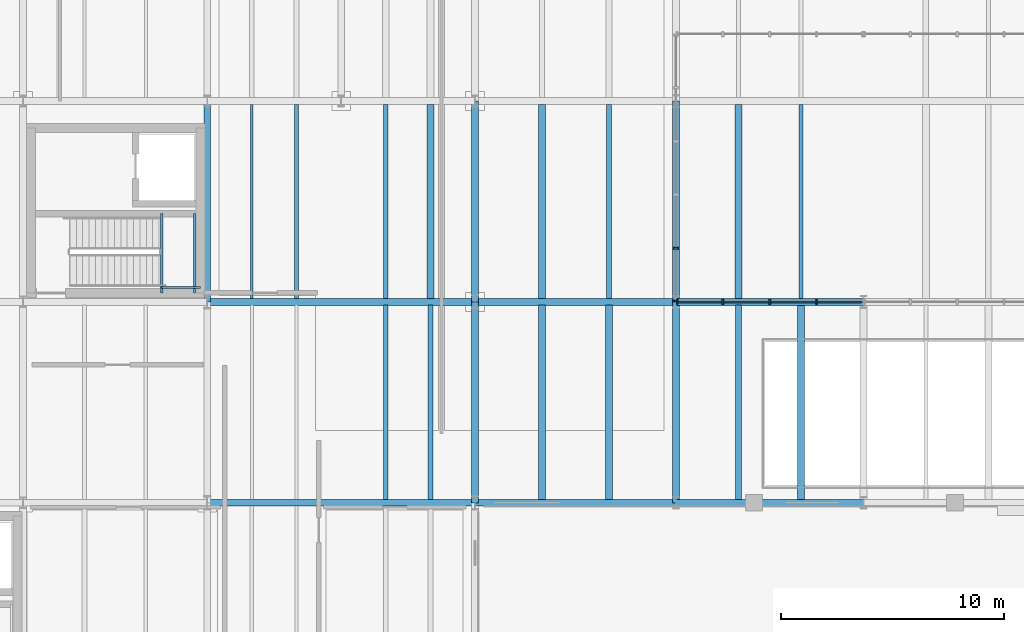
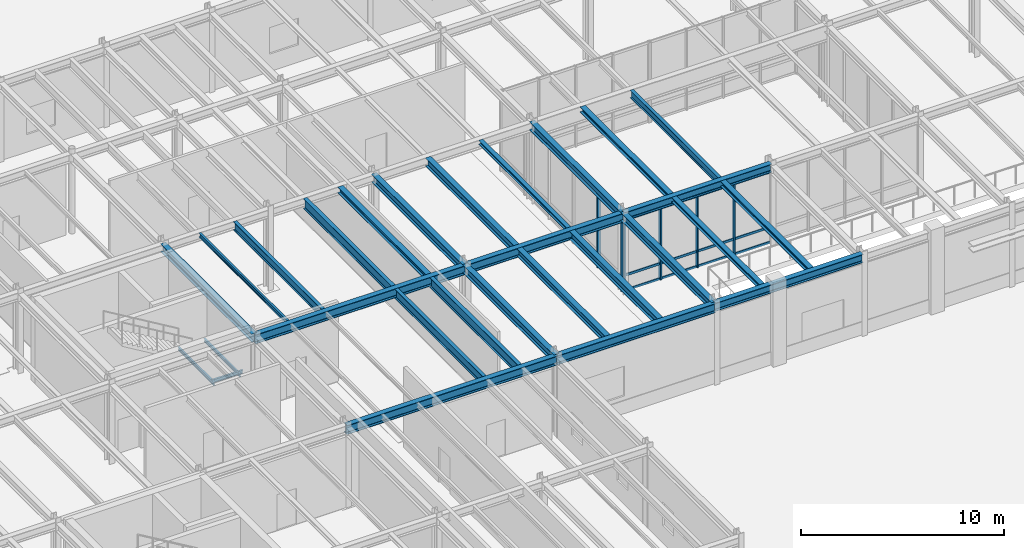
# One storey, part 20 of 64: 28 beams, 9 members, 2 elements without a shape of their own.
"""IFC4 building model written with IfcOpenShell, lengths in metres."""

from ifc_helpers import new_model, si_unit, direction, frame, origin, origin_2d, place, context, subcontext, project, spatial, rectangle, i_section, extrude, material, layer, layer_set, material_profile, profile_set, type_object, element, aggregate, save


model = new_model("IFC4")

# Units and contexts
model_context = context("Model", 3, precision=1e-05, world=origin(), true_north=direction((0.0, 1.0)))
body_context = subcontext(model_context, "Body", "Model", "MODEL_VIEW")
ifc_project = project(units=[si_unit("LENGTHUNIT", "METRE"), si_unit("AREAUNIT", "SQUARE_METRE"), si_unit("VOLUMEUNIT", "CUBIC_METRE"), si_unit("PLANEANGLEUNIT", "RADIAN"), si_unit("MASSUNIT", "GRAM", prefix="KILO")], contexts=[model_context])

# Site, building, storey
site_placement = place(None, origin())
site = spatial("IfcSite", under=ifc_project, at=site_placement, CompositionType="ELEMENT")
building_placement = place(site_placement, origin())
building = spatial("IfcBuilding", under=site, at=building_placement, Name="Montealbar Specialist Clinic", CompositionType="ELEMENT")
storey_placement = place(building_placement, origin())
storey = spatial("IfcBuildingStorey", under=building, at=storey_placement, Name="L00", CompositionType="ELEMENT", Elevation=0.0)

# Beams
ifc_material_1 = material(Name="Steel S355", Category="steel")
ifc_material_profile_1 = material_profile(ifc_material_1, i_section(OverallWidth=0.300048828125, OverallDepth=0.5, WebThickness=0.014404296875, FlangeThickness=0.028076171875, FilletRadius=0.027099609375, at=origin_2d()), Name="HEB 500", Category="steel")
ifc_profile_set_1 = profile_set([ifc_material_profile_1], Name="Steel S355")
beam_type_1 = type_object("IfcBeamType", Name="BM-GIRD-HEB500", PredefinedType="BEAM", material=ifc_profile_set_1)
for number, where, z_axis, x_axis, name in (
    (1, (99.0, 27.0, 4.56005859375), (0.0, 1.0, 0.0), (-1.0, 0.0, 0.0), "Beam GY-L00-990-270-360"),
    (2, (111.0, 27.0, 4.56005859375), (0.0, 1.0, 0.0), (-1.0, 0.0, 0.0), "Beam GY-L00-1110-270-360"),
    (3, (120.0, 27.0, 4.56005859375), (0.0, 1.0, 0.0), (-1.0, 0.0, 0.0), "Beam GY-L00-1200-270-360"),
):
    element("IfcBeam", number, at=place(storey_placement, frame(where, z_axis=z_axis, x_axis=x_axis)), inside=storey, type_object=beam_type_1, Name=name, PredefinedType="BEAM", context=body_context, shape_type="SweptSolid", body=[
        extrude(i_section(OverallWidth=0.300048828125, OverallDepth=0.5, WebThickness=0.014404296875, FlangeThickness=0.028076171875, FilletRadius=0.027099609375, at=origin_2d()), origin(), (0.0, 0.0, 1.0), 9.0),
    ])
ifc_material_profile_2 = material_profile(ifc_material_1, i_section(OverallWidth=0.300048828125, OverallDepth=0.5, WebThickness=0.014404296875, FlangeThickness=0.028076171875, FilletRadius=0.027099609375, at=origin_2d()), Name="HEB 500", Category="steel")
ifc_profile_set_2 = profile_set([ifc_material_profile_2], Name="Steel S355")
beam_type_2 = type_object("IfcBeamType", Name="BM-GIRD-HEB500-EXT", PredefinedType="BEAM", material=ifc_profile_set_2)
for number, where, z_axis, x_axis, name in (
    (4, (120.0, 18.0, 4.580078125), (1.0, 0.0, 0.0), (0.0, 1.0, 0.0), "Beam GX-L00-1200-1284-180"),
    (5, (120.0, 27.0, 4.56005859375), (1.0, 0.0, 0.0), (0.0, 1.0, 0.0), "Beam GX-L00-1200-1284-270"),
):
    element("IfcBeam", number, at=place(storey_placement, frame(where, z_axis=z_axis, x_axis=x_axis)), inside=storey, type_object=beam_type_2, Name=name, PredefinedType="BEAM", context=body_context, shape_type="SweptSolid", body=[
        extrude(i_section(OverallWidth=0.300048828125, OverallDepth=0.5, WebThickness=0.014404296875, FlangeThickness=0.028076171875, FilletRadius=0.027099609375, at=origin_2d()), origin(), (0.0, 0.0, 1.0), 8.39990234375),
    ])
for number, where, z_axis, x_axis, name in (
    (6, (111.0, 18.0, 4.56005859375), (0.0, 1.0, 0.0), (-1.0, 0.0, 0.0), "Beam GY-L00-1110-180-270"),
    (7, (120.0, 18.0, 4.56005859375), (0.0, 1.0, 0.0), (-1.0, 0.0, 0.0), "Beam GY-L00-1200-180-270"),
):
    element("IfcBeam", number, at=place(storey_placement, frame(where, z_axis=z_axis, x_axis=x_axis)), inside=storey, type_object=beam_type_2, Name=name, PredefinedType="BEAM", context=body_context, shape_type="SweptSolid", body=[
        extrude(i_section(OverallWidth=0.300048828125, OverallDepth=0.5, WebThickness=0.014404296875, FlangeThickness=0.028076171875, FilletRadius=0.027099609375, at=origin_2d()), origin(), (0.0, 0.0, 1.0), 9.0),
    ])
ifc_material_profile_3 = material_profile(ifc_material_1, i_section(OverallWidth=0.300048828125, OverallDepth=0.550048828125, WebThickness=0.014892578125, FlangeThickness=0.029052734375, FilletRadius=0.027099609375, at=origin_2d()), Name="HEB 550", Category="steel")
ifc_profile_set_3 = profile_set([ifc_material_profile_3], Name="Steel S355")
beam_type_3 = type_object("IfcBeamType", Name="BM-GIRD-HEB550", PredefinedType="BEAM", material=ifc_profile_set_3)
for number, where, z_axis, x_axis, name in (
    (8, (99.0, 18.0, 4.534912109375), (1.0, 0.0, 0.0), (0.0, 1.0, 0.0), "Beam GX-L00-990-1110-180"),
    (9, (99.0, 27.0, 4.534912109375), (1.0, 0.0, 0.0), (0.0, 1.0, 0.0), "Beam GX-L00-990-1110-270"),
):
    element("IfcBeam", number, at=place(storey_placement, frame(where, z_axis=z_axis, x_axis=x_axis)), inside=storey, type_object=beam_type_3, Name=name, PredefinedType="BEAM", context=body_context, shape_type="SweptSolid", body=[
        extrude(i_section(OverallWidth=0.300048828125, OverallDepth=0.550048828125, WebThickness=0.014892578125, FlangeThickness=0.029052734375, FilletRadius=0.027099609375, at=origin_2d()), origin(), (0.0, 0.0, 1.0), 12.0),
    ])
ifc_material_profile_4 = material_profile(ifc_material_1, i_section(OverallWidth=0.300048828125, OverallDepth=0.550048828125, WebThickness=0.014892578125, FlangeThickness=0.029052734375, FilletRadius=0.027099609375, at=origin_2d()), Name="HEB 550", Category="steel")
ifc_profile_set_4 = profile_set([ifc_material_profile_4], Name="Steel S355")
beam_type_4 = type_object("IfcBeamType", Name="BM-GIRD-HEB550-EXT", PredefinedType="BEAM", material=ifc_profile_set_4)
for number, where, z_axis, x_axis, name in (
    (10, (111.0, 18.0, 4.534912109375), (1.0, 0.0, 0.0), (0.0, 1.0, 0.0), "Beam GX-L00-1110-1200-180"),
    (11, (111.0, 27.0, 4.534912109375), (1.0, 0.0, 0.0), (0.0, 1.0, 0.0), "Beam GX-L00-1110-1200-270"),
):
    element("IfcBeam", number, at=place(storey_placement, frame(where, z_axis=z_axis, x_axis=x_axis)), inside=storey, type_object=beam_type_4, Name=name, PredefinedType="BEAM", context=body_context, shape_type="SweptSolid", body=[
        extrude(i_section(OverallWidth=0.300048828125, OverallDepth=0.550048828125, WebThickness=0.014892578125, FlangeThickness=0.029052734375, FilletRadius=0.027099609375, at=origin_2d()), origin(), (0.0, 0.0, 1.0), 9.0),
    ])
ifc_material_profile_5 = material_profile(ifc_material_1, i_section(OverallWidth=0.300048828125, OverallDepth=0.35009765625, WebThickness=0.010009765625, FlangeThickness=0.017578125, FilletRadius=0.027099609375, at=origin_2d()), Name="HEA 360", Category="steel")
ifc_profile_set_5 = profile_set([ifc_material_profile_5], Name="Steel S355")
beam_type_5 = type_object("IfcBeamType", Name="BM-JST-HEA360", PredefinedType="JOIST", material=ifc_profile_set_5)
beam_1_placement = place(storey_placement, frame((109.0, 27.14990234375, 4.635009765625), z_axis=(0.0, 1.0, 0.0), x_axis=(-1.0, 0.0, 0.0)))
element("IfcBeam", 12, at=beam_1_placement, inside=storey, type_object=beam_type_5, Name="Beam JST-L00-1090-272-358", PredefinedType="JOIST", context=body_context, shape_type="SweptSolid", body=[
    extrude(i_section(OverallWidth=0.300048828125, OverallDepth=0.35009765625, WebThickness=0.010009765625, FlangeThickness=0.017578125, FilletRadius=0.027099609375, at=origin_2d()), origin(), (0.0, 0.0, 1.0), 8.7001953125),
])
ifc_material_profile_6 = material_profile(ifc_material_1, i_section(OverallWidth=0.300048828125, OverallDepth=0.43994140625, WebThickness=0.011474609375, FlangeThickness=0.02099609375, FilletRadius=0.027099609375, at=origin_2d()), Name="HEA 450", Category="steel")
ifc_profile_set_6 = profile_set([ifc_material_profile_6], Name="Steel S355")
beam_type_6 = type_object("IfcBeamType", Name="BM-JST-HEA450", PredefinedType="JOIST", material=ifc_profile_set_6)
beam_2_placement = place(storey_placement, frame((114.0, 18.14990234375, 4.590087890625), z_axis=(0.0, 1.0, 0.0), x_axis=(-1.0, 0.0, 0.0)))
element("IfcBeam", 13, at=beam_2_placement, inside=storey, type_object=beam_type_6, Name="Beam JST-L00-1140-182-268", PredefinedType="JOIST", context=body_context, shape_type="SweptSolid", body=[
    extrude(i_section(OverallWidth=0.300048828125, OverallDepth=0.43994140625, WebThickness=0.011474609375, FlangeThickness=0.02099609375, FilletRadius=0.027099609375, at=origin_2d()), origin(), (0.0, 0.0, 1.0), 8.7001953125),
])
ifc_material_profile_7 = material_profile(ifc_material_1, i_section(OverallWidth=0.300048828125, OverallDepth=0.489990234375, WebThickness=0.011962890625, FlangeThickness=0.02294921875, FilletRadius=0.027099609375, at=origin_2d()), Name="HEA 500", Category="steel")
ifc_profile_set_7 = profile_set([ifc_material_profile_7], Name="Steel S355")
beam_type_7 = type_object("IfcBeamType", Name="BM-JST-HEA500", PredefinedType="JOIST", material=ifc_profile_set_7)
for number, where, z_axis, x_axis, name in (
    (14, (117.0, 18.14990234375, 4.56494140625), (0.0, 1.0, 0.0), (-1.0, 0.0, 0.0), "Beam JST-L00-1170-182-268"),
    (15, (114.0, 27.14990234375, 4.56494140625), (0.0, 1.0, 0.0), (-1.0, 0.0, 0.0), "Beam JST-L00-1140-272-358"),
):
    element("IfcBeam", number, at=place(storey_placement, frame(where, z_axis=z_axis, x_axis=x_axis)), inside=storey, type_object=beam_type_7, Name=name, PredefinedType="JOIST", context=body_context, shape_type="SweptSolid", body=[
        extrude(i_section(OverallWidth=0.300048828125, OverallDepth=0.489990234375, WebThickness=0.011962890625, FlangeThickness=0.02294921875, FilletRadius=0.027099609375, at=origin_2d()), origin(), (0.0, 0.0, 1.0), 8.7001953125),
    ])
ifc_material_profile_8 = material_profile(ifc_material_1, i_section(OverallWidth=0.239990234375, OverallDepth=0.239990234375, WebThickness=0.010009765625, FlangeThickness=0.01708984375, FilletRadius=0.02099609375, at=origin_2d()), Name="HEB 240", Category="steel")
ifc_profile_set_8 = profile_set([ifc_material_profile_8], Name="Steel S355")
beam_type_8 = type_object("IfcBeamType", Name="BM-JST-HEB240", PredefinedType="JOIST", material=ifc_profile_set_8)
beam_3_placement = place(storey_placement, frame((117.0, 27.14990234375, 4.68994140625), z_axis=(0.0, 1.0, 0.0), x_axis=(-1.0, 0.0, 0.0)))
element("IfcBeam", 16, at=beam_3_placement, inside=storey, type_object=beam_type_8, Name="Beam JST-L00-1170-272-358", PredefinedType="JOIST", context=body_context, shape_type="SweptSolid", body=[
    extrude(i_section(OverallWidth=0.239990234375, OverallDepth=0.239990234375, WebThickness=0.010009765625, FlangeThickness=0.01708984375, FilletRadius=0.02099609375, at=origin_2d()), origin(), (0.0, 0.0, 1.0), 8.7001953125),
])
ifc_material_profile_9 = material_profile(ifc_material_1, i_section(OverallWidth=0.280029296875, OverallDepth=0.280029296875, WebThickness=0.010498046875, FlangeThickness=0.01806640625, FilletRadius=0.02392578125, at=origin_2d()), Name="HEB 280", Category="steel")
ifc_profile_set_9 = profile_set([ifc_material_profile_9], Name="Steel S355")
beam_type_9 = type_object("IfcBeamType", Name="BM-JST-HEB280", PredefinedType="JOIST", material=ifc_profile_set_9)
beam_4_placement = place(storey_placement, frame((122.800048828125, 18.14990234375, 4.669921875), z_axis=(0.0, 1.0, 0.0), x_axis=(-1.0, 0.0, 0.0)))
element("IfcBeam", 17, at=beam_4_placement, inside=storey, type_object=beam_type_9, Name="Beam JST-L00-1228-182-268", PredefinedType="JOIST", context=body_context, shape_type="SweptSolid", body=[
    extrude(i_section(OverallWidth=0.280029296875, OverallDepth=0.280029296875, WebThickness=0.010498046875, FlangeThickness=0.01806640625, FilletRadius=0.02392578125, at=origin_2d()), origin(), (0.0, 0.0, 1.0), 8.7001953125),
])
ifc_material_profile_10 = material_profile(ifc_material_1, i_section(OverallWidth=0.300048828125, OverallDepth=0.320068359375, WebThickness=0.011474609375, FlangeThickness=0.0205078125, FilletRadius=0.027099609375, at=origin_2d()), Name="HEB 320", Category="steel")
ifc_profile_set_10 = profile_set([ifc_material_profile_10], Name="Steel S355")
beam_type_10 = type_object("IfcBeamType", Name="BM-JST-HEB320", PredefinedType="JOIST", material=ifc_profile_set_10)
beam_5_placement = place(storey_placement, frame((125.60009765625, 18.14990234375, 4.64990234375), z_axis=(0.0, 1.0, 0.0), x_axis=(-1.0, 0.0, 0.0)))
element("IfcBeam", 18, at=beam_5_placement, inside=storey, type_object=beam_type_10, Name="Beam JST-L00-1256-182-268", PredefinedType="JOIST", context=body_context, shape_type="SweptSolid", body=[
    extrude(i_section(OverallWidth=0.300048828125, OverallDepth=0.320068359375, WebThickness=0.011474609375, FlangeThickness=0.0205078125, FilletRadius=0.027099609375, at=origin_2d()), origin(), (0.0, 0.0, 1.0), 8.7001953125),
])
beam_6_placement = place(storey_placement, frame((122.800048828125, 27.14990234375, 4.64990234375), z_axis=(0.0, 1.0, 0.0), x_axis=(-1.0, 0.0, 0.0)))
element("IfcBeam", 19, at=beam_6_placement, inside=storey, type_object=beam_type_10, Name="Beam JST-L00-1228-272-358", PredefinedType="JOIST", context=body_context, shape_type="SweptSolid", body=[
    extrude(i_section(OverallWidth=0.300048828125, OverallDepth=0.320068359375, WebThickness=0.011474609375, FlangeThickness=0.0205078125, FilletRadius=0.027099609375, at=origin_2d()), origin(), (0.0, 0.0, 1.0), 8.69921875),
])
ifc_material_profile_11 = material_profile(ifc_material_1, i_section(OverallWidth=0.1201171875, OverallDepth=0.239990234375, WebThickness=0.006103515625, FlangeThickness=0.009765625, FilletRadius=0.014892578125, at=origin_2d()), Name="IPE 240", Category="steel")
ifc_profile_set_11 = profile_set([ifc_material_profile_11], Name="Steel S355")
beam_type_11 = type_object("IfcBeamType", Name="BM-JST-IPE240", PredefinedType="JOIST", material=ifc_profile_set_11)
beam_7_placement = place(storey_placement, frame((101.0, 27.14990234375, 4.68994140625), z_axis=(0.0, 1.0, 0.0), x_axis=(-1.0, 0.0, 0.0)))
element("IfcBeam", 20, at=beam_7_placement, inside=storey, type_object=beam_type_11, Name="Beam JST-L00-1010-272-358", PredefinedType="JOIST", context=body_context, shape_type="SweptSolid", body=[
    extrude(i_section(OverallWidth=0.1201171875, OverallDepth=0.239990234375, WebThickness=0.006103515625, FlangeThickness=0.009765625, FilletRadius=0.014892578125, at=origin_2d()), origin(), (0.0, 0.0, 1.0), 8.7001953125),
])
ifc_material_profile_12 = material_profile(ifc_material_1, i_section(OverallWidth=0.199951171875, OverallDepth=0.5, WebThickness=0.01025390625, FlangeThickness=0.01611328125, FilletRadius=0.02099609375, at=origin_2d()), Name="IPE 500", Category="steel")
ifc_profile_set_12 = profile_set([ifc_material_profile_12], Name="Steel S355")
beam_type_12 = type_object("IfcBeamType", Name="BM-JST-IPE500", PredefinedType="JOIST", material=ifc_profile_set_12)
beam_8_placement = place(storey_placement, frame((103.0, 27.14990234375, 4.56005859375), z_axis=(0.0, 1.0, 0.0), x_axis=(-1.0, 0.0, 0.0)))
element("IfcBeam", 21, at=beam_8_placement, inside=storey, type_object=beam_type_12, Name="Beam JST-L00-1030-272-358", PredefinedType="JOIST", context=body_context, shape_type="SweptSolid", body=[
    extrude(i_section(OverallWidth=0.199951171875, OverallDepth=0.5, WebThickness=0.01025390625, FlangeThickness=0.01611328125, FilletRadius=0.02099609375, at=origin_2d()), origin(), (0.0, 0.0, 1.0), 8.7001953125),
])
ifc_material_profile_13 = material_profile(ifc_material_1, i_section(OverallWidth=0.2099609375, OverallDepth=0.550048828125, WebThickness=0.010986328125, FlangeThickness=0.01708984375, FilletRadius=0.02392578125, at=origin_2d()), Name="IPE 550", Category="steel")
ifc_profile_set_13 = profile_set([ifc_material_profile_13], Name="Steel S355")
beam_type_13 = type_object("IfcBeamType", Name="BM-JST-IPE550", PredefinedType="JOIST", material=ifc_profile_set_13)
beam_9_placement = place(storey_placement, frame((107.0, 18.14990234375, 4.534912109375), z_axis=(0.0, 1.0, 0.0), x_axis=(-1.0, 0.0, 0.0)))
element("IfcBeam", 22, at=beam_9_placement, inside=storey, type_object=beam_type_13, Name="Beam JST-L00-1070-182-268", PredefinedType="JOIST", context=body_context, shape_type="SweptSolid", body=[
    extrude(i_section(OverallWidth=0.2099609375, OverallDepth=0.550048828125, WebThickness=0.010986328125, FlangeThickness=0.01708984375, FilletRadius=0.02392578125, at=origin_2d()), origin(), (0.0, 0.0, 1.0), 8.7001953125),
])
ifc_material_profile_14 = material_profile(ifc_material_1, i_section(OverallWidth=0.219970703125, OverallDepth=0.60009765625, WebThickness=0.011962890625, FlangeThickness=0.01904296875, FilletRadius=0.02392578125, at=origin_2d()), Name="IPE 600", Category="steel")
ifc_profile_set_14 = profile_set([ifc_material_profile_14], Name="Steel S355")
beam_type_14 = type_object("IfcBeamType", Name="BM-JST-IPE600", PredefinedType="JOIST", material=ifc_profile_set_14)
for number, where, z_axis, x_axis, name in (
    (23, (109.0, 18.14990234375, 4.510009765625), (0.0, 1.0, 0.0), (-1.0, 0.0, 0.0), "Beam JST-L00-1090-182-268"),
    (24, (107.0, 27.14990234375, 4.510009765625), (0.0, 1.0, 0.0), (-1.0, 0.0, 0.0), "Beam JST-L00-1070-272-358"),
):
    element("IfcBeam", number, at=place(storey_placement, frame(where, z_axis=z_axis, x_axis=x_axis)), inside=storey, type_object=beam_type_14, Name=name, PredefinedType="JOIST", context=body_context, shape_type="SweptSolid", body=[
        extrude(i_section(OverallWidth=0.219970703125, OverallDepth=0.60009765625, WebThickness=0.011962890625, FlangeThickness=0.01904296875, FilletRadius=0.02392578125, at=origin_2d()), origin(), (0.0, 0.0, 1.0), 8.7001953125),
    ])
ifc_material_profile_15 = material_profile(ifc_material_1, i_section(OverallWidth=0.10009765625, OverallDepth=0.199951171875, WebThickness=0.005615234375, FlangeThickness=0.008544921875, FilletRadius=0.011962890625, at=origin_2d()), Name="IPE 200", Category="steel")
ifc_profile_set_15 = profile_set([ifc_material_profile_15], Name="Steel S355")
beam_type_15 = type_object("IfcBeamType", Name="BM-LINT-IPE200", PredefinedType="LINTEL", material=ifc_profile_set_15)
for number, where, z_axis, x_axis, name in (
    (25, (96.9599609375, 27.39990234375, 2.25), (0.0, 1.0, 0.0), (-1.0, 0.0, 0.0), "Core C5 Stair Landing Beam L00 W"),
    (26, (98.429931640625, 27.39990234375, 2.25), (0.0, 1.0, 0.0), (-1.0, 0.0, 0.0), "Core C5 Stair Landing Beam L00 E"),
):
    element("IfcBeam", number, at=place(storey_placement, frame(where, z_axis=z_axis, x_axis=x_axis)), inside=storey, type_object=beam_type_15, Name=name, PredefinedType="LINTEL", context=body_context, shape_type="SweptSolid", body=[
        extrude(i_section(OverallWidth=0.10009765625, OverallDepth=0.199951171875, WebThickness=0.005615234375, FlangeThickness=0.008544921875, FilletRadius=0.011962890625, at=origin_2d()), origin(), (0.0, 0.0, 1.0), 3.550048828125),
    ])
beam_10_placement = place(storey_placement, frame((96.9599609375, 27.64990234375, 2.25), z_axis=(1.0, 0.0, 0.0), x_axis=(0.0, 1.0, 0.0)))
element("IfcBeam", 27, at=beam_10_placement, inside=storey, type_object=beam_type_15, Name="Core C5 Stair Landing Tie Beam L00", PredefinedType="LINTEL", context=body_context, shape_type="SweptSolid", body=[
    extrude(i_section(OverallWidth=0.10009765625, OverallDepth=0.199951171875, WebThickness=0.005615234375, FlangeThickness=0.008544921875, FilletRadius=0.011962890625, at=origin_2d()), origin(), (0.0, 0.0, 1.0), 1.739990234375),
])
ifc_material_profile_16 = material_profile(ifc_material_1, i_section(OverallWidth=0.18994140625, OverallDepth=0.449951171875, WebThickness=0.009521484375, FlangeThickness=0.0146484375, FilletRadius=0.02099609375, at=origin_2d()), Name="IPE 450", Category="steel")
ifc_profile_set_16 = profile_set([ifc_material_profile_16], Name="Steel S355")
beam_type_16 = type_object("IfcBeamType", Name="BM-SEC-IPE450", PredefinedType="BEAM", material=ifc_profile_set_16)
beam_11_placement = place(storey_placement, frame((125.60009765625, 27.14990234375, 4.5849609375), z_axis=(0.0, 1.0, 0.0), x_axis=(-1.0, 0.0, 0.0)))
element("IfcBeam", 28, at=beam_11_placement, inside=storey, type_object=beam_type_16, Name="Beam JST-L00-1256-272-358", PredefinedType="BEAM", context=body_context, shape_type="SweptSolid", body=[
    extrude(i_section(OverallWidth=0.18994140625, OverallDepth=0.449951171875, WebThickness=0.009521484375, FlangeThickness=0.0146484375, FilletRadius=0.02099609375, at=origin_2d()), origin(), (0.0, 0.0, 1.0), 8.69921875),
])

# Curtain wall, members
ifc_material_2 = material(Name="Low-E double glazing", Category="glass")
ifc_layer_1 = layer(ifc_material_2, 0.199951171875, Name="Low-E double glazing", Category="glass")
ifc_layer_set_1 = layer_set([ifc_layer_1], Name="Low-E double glazing")
curtain_wall_type_1 = type_object("IfcCurtainWallType", Name="CW-TYPE-04", PredefinedType="NOTDEFINED", material=ifc_layer_set_1)
curtain_wall_1_placement = place(storey_placement, origin())
curtain_wall_1 = element("IfcCurtainWall", 29, at=curtain_wall_1_placement, inside=storey, type_object=curtain_wall_type_1, Name="Unitised Curtain Wall CW-L00-1200-390-1200-270-0", PredefinedType="NOTDEFINED")
ifc_material_3 = material(Name="Anodised aluminium EN AW-6063", Category="aluminium")
ifc_material_profile_17 = material_profile(ifc_material_3, rectangle(XDim=0.080078125, YDim=0.219970703125, at=origin_2d()), Name="ALU 80x220", Category="aluminium")
ifc_profile_set_17 = profile_set([ifc_material_profile_17], Name="Anodised aluminium EN AW-6063")
member_type_1 = type_object("IfcMemberType", Name="CW-MUL-220", PredefinedType="MULLION", material=ifc_profile_set_17)
member_1_placement = place(storey_placement, frame((120.0, 29.39990234375, 0.0), z_axis=(0.0, 0.0, 1.0), x_axis=(0.0, -1.0, 0.0)))
member_1 = element("IfcMember", 30, at=member_1_placement, type_object=member_type_1, Name="Curtain Wall Mullion CW-L00-1200-390-1200-270-0-04", PredefinedType="MULLION", context=body_context, shape_type="SweptSolid", body=[
    extrude(rectangle(XDim=0.080078125, YDim=0.219970703125, at=origin_2d()), origin(), (0.0, 0.0, 1.0), 4.31005859375),
])
member_2_placement = place(storey_placement, frame((120.0, 27.044921875, 0.0), z_axis=(0.0, 0.0, 1.0), x_axis=(0.0, -1.0, 0.0)))
member_2 = element("IfcMember", 31, at=member_2_placement, type_object=member_type_1, Name="Curtain Wall Mullion CW-L00-1200-390-1200-270-0-05", PredefinedType="MULLION", context=body_context, shape_type="SweptSolid", body=[
    extrude(rectangle(XDim=0.080078125, YDim=0.219970703125, at=origin_2d()), origin(), (0.0, 0.0, 1.0), 4.31005859375),
])
aggregate(curtain_wall_1, [member_1, member_2])

ifc_layer_2 = layer(ifc_material_2, 0.199951171875, Name="Low-E double glazing", Category="glass")
ifc_layer_set_2 = layer_set([ifc_layer_2], Name="Low-E double glazing")
curtain_wall_type_2 = type_object("IfcCurtainWallType", Name="CW-TYPE-05", PredefinedType="NOTDEFINED", material=ifc_layer_set_2)
curtain_wall_2_placement = place(storey_placement, origin())
curtain_wall_2 = element("IfcCurtainWall", 32, at=curtain_wall_2_placement, inside=storey, type_object=curtain_wall_type_2, Name="Unitised Curtain Wall CW-L00-1200-270-1284-270-0", PredefinedType="NOTDEFINED")
member_3_placement = place(storey_placement, frame((120.044921875, 27.0, 0.0), z_axis=(0.0, 0.0, 1.0), x_axis=(1.0, 0.0, 0.0)))
member_3 = element("IfcMember", 33, at=member_3_placement, type_object=member_type_1, Name="Curtain Wall Mullion CW-L00-1200-270-1284-270-0-00", PredefinedType="MULLION", context=body_context, shape_type="SweptSolid", body=[
    extrude(rectangle(XDim=0.080078125, YDim=0.219970703125, at=origin_2d()), origin(), (0.0, 0.0, 1.0), 4.31005859375),
])
member_4_placement = place(storey_placement, frame((122.10009765625, 27.0, 0.0), z_axis=(0.0, 0.0, 1.0), x_axis=(1.0, 0.0, 0.0)))
member_4 = element("IfcMember", 34, at=member_4_placement, type_object=member_type_1, Name="Curtain Wall Mullion CW-L00-1200-270-1284-270-0-01", PredefinedType="MULLION", context=body_context, shape_type="SweptSolid", body=[
    extrude(rectangle(XDim=0.080078125, YDim=0.219970703125, at=origin_2d()), origin(), (0.0, 0.0, 1.0), 4.31005859375),
])
member_5_placement = place(storey_placement, frame((124.199951171875, 27.0, 0.0), z_axis=(0.0, 0.0, 1.0), x_axis=(1.0, 0.0, 0.0)))
member_5 = element("IfcMember", 35, at=member_5_placement, type_object=member_type_1, Name="Curtain Wall Mullion CW-L00-1200-270-1284-270-0-02", PredefinedType="MULLION", context=body_context, shape_type="SweptSolid", body=[
    extrude(rectangle(XDim=0.080078125, YDim=0.219970703125, at=origin_2d()), origin(), (0.0, 0.0, 1.0), 4.31005859375),
])
member_6_placement = place(storey_placement, frame((126.300048828125, 27.0, 0.0), z_axis=(0.0, 0.0, 1.0), x_axis=(1.0, 0.0, 0.0)))
member_6 = element("IfcMember", 36, at=member_6_placement, type_object=member_type_1, Name="Curtain Wall Mullion CW-L00-1200-270-1284-270-0-03", PredefinedType="MULLION", context=body_context, shape_type="SweptSolid", body=[
    extrude(rectangle(XDim=0.080078125, YDim=0.219970703125, at=origin_2d()), origin(), (0.0, 0.0, 1.0), 4.31005859375),
])
ifc_material_4 = material(Name="Powder-coated aluminium", Category="aluminium")
ifc_material_profile_18 = material_profile(ifc_material_4, rectangle(XDim=0.070068359375, YDim=0.139892578125, at=origin_2d()), Name="ALU 70x140", Category="aluminium")
ifc_profile_set_18 = profile_set([ifc_material_profile_18], Name="Powder-coated aluminium")
member_type_2 = type_object("IfcMemberType", Name="CW-TRN-140", PredefinedType="USERDEFINED", material=ifc_profile_set_18)
member_7_placement = place(storey_placement, frame((120.050048828125, 27.0, 0.0400390625), z_axis=(1.0, 0.0, 0.0), x_axis=(0.0, 1.0, 0.0)))
member_7 = element("IfcMember", 37, at=member_7_placement, type_object=member_type_2, Name="Curtain Wall Transom CW-L00-1200-270-1284-270-0-00", ObjectType="TRANSOM", PredefinedType="USERDEFINED", context=body_context, shape_type="SweptSolid", body=[
    extrude(rectangle(XDim=0.070068359375, YDim=0.139892578125, at=origin_2d()), origin(), (0.0, 0.0, 1.0), 8.300048828125),
])
member_8_placement = place(storey_placement, frame((120.050048828125, 27.0, 0.949951171875), z_axis=(1.0, 0.0, 0.0), x_axis=(0.0, 1.0, 0.0)))
member_8 = element("IfcMember", 38, at=member_8_placement, type_object=member_type_2, Name="Curtain Wall Transom CW-L00-1200-270-1284-270-0-01", ObjectType="TRANSOM", PredefinedType="USERDEFINED", context=body_context, shape_type="SweptSolid", body=[
    extrude(rectangle(XDim=0.070068359375, YDim=0.139892578125, at=origin_2d()), origin(), (0.0, 0.0, 1.0), 8.300048828125),
])
member_9_placement = place(storey_placement, frame((120.050048828125, 27.0, 4.27001953125), z_axis=(1.0, 0.0, 0.0), x_axis=(0.0, 1.0, 0.0)))
member_9 = element("IfcMember", 39, at=member_9_placement, type_object=member_type_2, Name="Curtain Wall Transom CW-L00-1200-270-1284-270-0-02", ObjectType="TRANSOM", PredefinedType="USERDEFINED", context=body_context, shape_type="SweptSolid", body=[
    extrude(rectangle(XDim=0.070068359375, YDim=0.139892578125, at=origin_2d()), origin(), (0.0, 0.0, 1.0), 8.300048828125),
])
aggregate(curtain_wall_2, [member_3, member_4, member_5, member_6, member_7, member_8, member_9])

save(model, "model.ifc")
